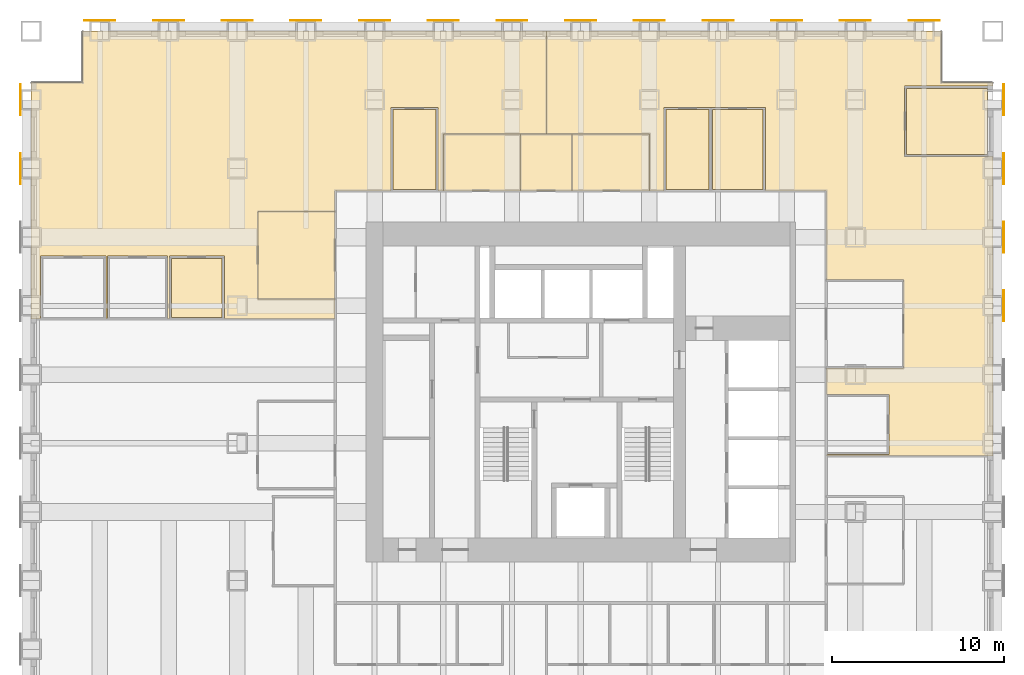
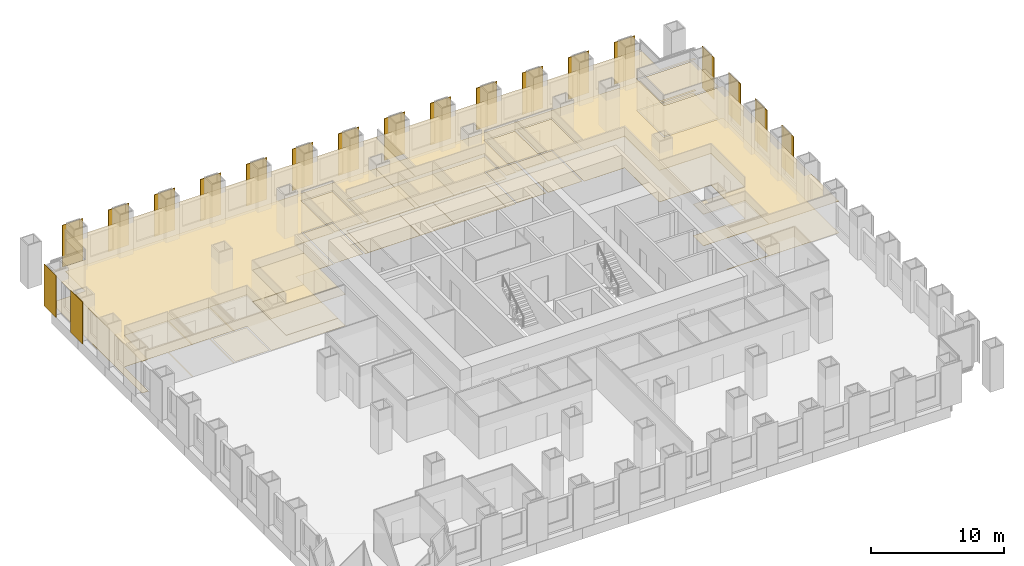
# One storey, part 14 of 14: 21 coverings, 19 shading devices.
"""IFC4 building model written with IfcOpenShell, lengths in metres."""

from ifc_helpers import new_model, si_unit, direction, frame, origin, origin_2d, place, context, subcontext, project, spatial, polyline, rectangle, outline, extrude, material, layer, layer_set, type_object, element, save


model = new_model("IFC4")

# Units and contexts
model_context = context("Model", 3, precision=1e-05, world=origin(), true_north=direction((0.0, 1.0)))
body_context = subcontext(model_context, "Body", "Model", "MODEL_VIEW")
ifc_project = project(units=[si_unit("LENGTHUNIT", "METRE"), si_unit("AREAUNIT", "SQUARE_METRE"), si_unit("VOLUMEUNIT", "CUBIC_METRE"), si_unit("PLANEANGLEUNIT", "RADIAN"), si_unit("MASSUNIT", "GRAM", prefix="KILO")], contexts=[model_context])

# Site, building, storey
site_placement = place(None, origin())
site = spatial("IfcSite", under=ifc_project, at=site_placement, CompositionType="ELEMENT")
building_placement = place(site_placement, origin())
building = spatial("IfcBuilding", under=site, at=building_placement, Name="Rimbunsela Tower", CompositionType="ELEMENT")
storey_placement = place(building_placement, frame((0.0, 0.0, 63.0)))
storey = spatial("IfcBuildingStorey", under=building, at=storey_placement, Name="L15", CompositionType="ELEMENT", Elevation=63.0)

# Coverings
ifc_material_1 = material(Name="Nylon carpet tile", Category="textile")
ifc_layer_1 = layer(ifc_material_1, 0.010009765625)
ifc_layer_set_1 = layer_set([ifc_layer_1], Name="Carpet tile 10")
covering_type_1 = type_object("IfcCoveringType", Name="Carpet tile 10", PredefinedType="FLOORING", material=ifc_layer_set_1)
covering_1_placement = place(storey_placement, origin())
element("IfcCovering", 1, at=covering_1_placement, inside=storey, type_object=covering_type_1, Name="Floor finish Open office", PredefinedType="FLOORING", context=body_context, shape_type="SweptSolid", body=[
    extrude(outline(polyline([(11.199951171875, 37.5), (11.199951171875, 32.39990234375), (15.699951171875, 32.39990234375), (15.699951171875, 31.2509765625), (9.25, 31.2509765625), (9.25, 34.89990234375), (6.050048828125, 34.89990234375), (6.050048828125, 31.2509765625), (5.949951171875, 31.2509765625), (5.949951171875, 34.89990234375), (2.449951171875, 34.89990234375), (2.449951171875, 31.2509765625), (2.35009765625, 31.2509765625), (2.35009765625, 34.89990234375), (-1.449951171875, 34.89990234375), (-1.449951171875, 31.2509765625), (-2.0, 31.2509765625), (-2.0, 45.0), (1.0, 45.0), (1.0, 48.0), (15.699951171875, 48.0), (27.9990234375, 48.0), (27.9990234375, 42.0), (22.0, 42.0), (22.0, 38.699951171875), (21.699951171875, 38.699951171875), (21.699951171875, 43.550048828125), (18.949951171875, 43.550048828125), (18.949951171875, 38.699951171875), (15.699951171875, 38.699951171875), (15.699951171875, 37.5), (11.199951171875, 37.5)])), origin(), (0.0, 0.0, 1.0), 0.010009765625),
])
covering_2_placement = place(storey_placement, origin())
element("IfcCovering", 2, at=covering_2_placement, inside=storey, type_object=covering_type_1, Name="Floor finish Open office", PredefinedType="FLOORING", context=body_context, shape_type="SweptSolid", body=[
    extrude(outline(polyline([(48.85009765625, 44.800048828125), (48.85009765625, 40.699951171875), (54.0, 40.699951171875), (54.0, 23.2509765625), (44.300048828125, 23.2509765625), (44.300048828125, 23.35009765625), (47.949951171875, 23.35009765625), (47.949951171875, 26.85009765625), (44.300048828125, 26.85009765625), (44.300048828125, 28.39990234375), (48.800048828125, 28.39990234375), (48.800048828125, 33.5), (44.300048828125, 33.5), (44.300048828125, 38.699951171875), (40.75, 38.699951171875), (40.75, 43.550048828125), (37.60009765625, 43.550048828125), (37.550048828125, 43.550048828125), (34.85009765625, 43.550048828125), (34.85009765625, 38.699951171875), (34.0, 38.699951171875), (34.0, 42.0), (28.0009765625, 42.0), (28.0009765625, 48.0), (44.300048828125, 48.0), (51.0, 48.0), (51.0, 45.0), (54.0, 45.0), (54.0, 44.800048828125), (48.85009765625, 44.800048828125)])), origin(), (0.0, 0.0, 1.0), 0.010009765625),
])
covering_3_placement = place(storey_placement, origin())
element("IfcCovering", 3, at=covering_3_placement, inside=storey, type_object=covering_type_1, Name="Floor finish Reception", PredefinedType="FLOORING", context=body_context, shape_type="SweptSolid", body=[
    extrude(outline(polyline([(15.699951171875, 32.39990234375), (15.699951171875, 37.5), (11.199951171875, 37.5), (11.199951171875, 32.39990234375), (15.699951171875, 32.39990234375)])), origin(), (0.0, 0.0, 1.0), 0.010009765625),
])
covering_4_placement = place(storey_placement, origin())
element("IfcCovering", 4, at=covering_4_placement, inside=storey, type_object=covering_type_1, Name="Floor finish Meeting room", PredefinedType="FLOORING", context=body_context, shape_type="SweptSolid", body=[
    extrude(outline(polyline([(53.699951171875, 40.824951171875), (53.699951171875, 44.675048828125), (48.97509765625, 44.675048828125), (48.97509765625, 40.824951171875), (53.699951171875, 40.824951171875)])), origin(), (0.0, 0.0, 1.0), 0.010009765625),
])
covering_5_placement = place(storey_placement, origin())
element("IfcCovering", 5, at=covering_5_placement, inside=storey, type_object=covering_type_1, Name="Floor finish Print and copy room", PredefinedType="FLOORING", context=body_context, shape_type="SweptSolid", body=[
    extrude(outline(polyline([(21.574951171875, 38.77490234375), (21.574951171875, 43.425048828125), (19.074951171875, 43.425048828125), (19.074951171875, 38.77490234375), (21.574951171875, 38.77490234375)])), origin(), (0.0, 0.0, 1.0), 0.010009765625),
])
covering_6_placement = place(storey_placement, origin())
element("IfcCovering", 6, at=covering_6_placement, inside=storey, type_object=covering_type_1, Name="Floor finish Office", PredefinedType="FLOORING", context=body_context, shape_type="SweptSolid", body=[
    extrude(outline(polyline([(9.125, 31.324951171875), (9.125, 34.77490234375), (6.175048828125, 34.77490234375), (6.175048828125, 31.324951171875), (9.125, 31.324951171875)])), origin(), (0.0, 0.0, 1.0), 0.010009765625),
])
covering_7_placement = place(storey_placement, origin())
element("IfcCovering", 7, at=covering_7_placement, inside=storey, type_object=covering_type_1, Name="Floor finish Print and copy room", PredefinedType="FLOORING", context=body_context, shape_type="SweptSolid", body=[
    extrude(outline(polyline([(37.47509765625, 38.77490234375), (37.47509765625, 43.425048828125), (34.97509765625, 43.425048828125), (34.97509765625, 38.77490234375), (37.47509765625, 38.77490234375)])), origin(), (0.0, 0.0, 1.0), 0.010009765625),
])
covering_8_placement = place(storey_placement, origin())
element("IfcCovering", 8, at=covering_8_placement, inside=storey, type_object=covering_type_1, Name="Floor finish Office", PredefinedType="FLOORING", context=body_context, shape_type="SweptSolid", body=[
    extrude(outline(polyline([(40.625, 38.77490234375), (40.625, 43.425048828125), (37.675048828125, 43.425048828125), (37.675048828125, 38.77490234375), (40.625, 38.77490234375)])), origin(), (0.0, 0.0, 1.0), 0.010009765625),
])
ifc_material_2 = material(Name="Mineral fibre ceiling tile", Category="gypsum")
ifc_layer_2 = layer(ifc_material_2, 0.02001953125)
ifc_layer_set_2 = layer_set([ifc_layer_2], Name="Ceiling 600 grid")
covering_type_2 = type_object("IfcCoveringType", Name="Ceiling 600 grid", PredefinedType="CEILING", material=ifc_layer_set_2)
covering_9_placement = place(storey_placement, frame((0.0, 0.0, 2.89990234375)))
element("IfcCovering", 9, at=covering_9_placement, inside=storey, type_object=covering_type_2, Name="Ceiling Open office", PredefinedType="CEILING", context=body_context, shape_type="SweptSolid", body=[
    extrude(outline(polyline([(11.199951171875, 37.5), (11.199951171875, 32.39990234375), (15.699951171875, 32.39990234375), (15.699951171875, 31.2509765625), (9.25, 31.2509765625), (9.25, 34.89990234375), (6.050048828125, 34.89990234375), (6.050048828125, 31.2509765625), (5.949951171875, 31.2509765625), (5.949951171875, 34.89990234375), (2.449951171875, 34.89990234375), (2.449951171875, 31.2509765625), (2.35009765625, 31.2509765625), (2.35009765625, 34.89990234375), (-1.449951171875, 34.89990234375), (-1.449951171875, 31.2509765625), (-2.0, 31.2509765625), (-2.0, 45.0), (1.0, 45.0), (1.0, 48.0), (15.699951171875, 48.0), (27.9990234375, 48.0), (27.9990234375, 42.0), (22.0, 42.0), (22.0, 38.699951171875), (21.699951171875, 38.699951171875), (21.699951171875, 43.550048828125), (18.949951171875, 43.550048828125), (18.949951171875, 38.699951171875), (15.699951171875, 38.699951171875), (15.699951171875, 37.5), (11.199951171875, 37.5)])), origin(), (0.0, 0.0, 1.0), 0.02001953125),
])
covering_10_placement = place(storey_placement, frame((0.0, 0.0, 2.89990234375)))
element("IfcCovering", 10, at=covering_10_placement, inside=storey, type_object=covering_type_2, Name="Ceiling Open office", PredefinedType="CEILING", context=body_context, shape_type="SweptSolid", body=[
    extrude(outline(polyline([(48.85009765625, 44.800048828125), (48.85009765625, 40.699951171875), (54.0, 40.699951171875), (54.0, 23.2509765625), (44.300048828125, 23.2509765625), (44.300048828125, 23.35009765625), (47.949951171875, 23.35009765625), (47.949951171875, 26.85009765625), (44.300048828125, 26.85009765625), (44.300048828125, 28.39990234375), (48.800048828125, 28.39990234375), (48.800048828125, 33.5), (44.300048828125, 33.5), (44.300048828125, 38.699951171875), (40.75, 38.699951171875), (40.75, 43.550048828125), (37.60009765625, 43.550048828125), (37.550048828125, 43.550048828125), (34.85009765625, 43.550048828125), (34.85009765625, 38.699951171875), (34.0, 38.699951171875), (34.0, 42.0), (28.0009765625, 42.0), (28.0009765625, 48.0), (44.300048828125, 48.0), (51.0, 48.0), (51.0, 45.0), (54.0, 45.0), (54.0, 44.800048828125), (48.85009765625, 44.800048828125)])), origin(), (0.0, 0.0, 1.0), 0.02001953125),
])
covering_11_placement = place(storey_placement, frame((0.0, 0.0, 2.89990234375)))
element("IfcCovering", 11, at=covering_11_placement, inside=storey, type_object=covering_type_2, Name="Ceiling Reception", PredefinedType="CEILING", context=body_context, shape_type="SweptSolid", body=[
    extrude(outline(polyline([(15.699951171875, 32.39990234375), (15.699951171875, 37.5), (11.199951171875, 37.5), (11.199951171875, 32.39990234375), (15.699951171875, 32.39990234375)])), origin(), (0.0, 0.0, 1.0), 0.02001953125),
])
covering_12_placement = place(storey_placement, frame((0.0, 0.0, 2.89990234375)))
element("IfcCovering", 12, at=covering_12_placement, inside=storey, type_object=covering_type_2, Name="Ceiling Meeting room", PredefinedType="CEILING", context=body_context, shape_type="SweptSolid", body=[
    extrude(outline(polyline([(53.699951171875, 40.824951171875), (53.699951171875, 44.675048828125), (48.97509765625, 44.675048828125), (48.97509765625, 40.824951171875), (53.699951171875, 40.824951171875)])), origin(), (0.0, 0.0, 1.0), 0.02001953125),
])
covering_13_placement = place(storey_placement, frame((0.0, 0.0, 2.89990234375)))
element("IfcCovering", 13, at=covering_13_placement, inside=storey, type_object=covering_type_2, Name="Ceiling Print and copy room", PredefinedType="CEILING", context=body_context, shape_type="SweptSolid", body=[
    extrude(outline(polyline([(21.574951171875, 38.77490234375), (21.574951171875, 43.425048828125), (19.074951171875, 43.425048828125), (19.074951171875, 38.77490234375), (21.574951171875, 38.77490234375)])), origin(), (0.0, 0.0, 1.0), 0.02001953125),
])
covering_14_placement = place(storey_placement, frame((0.0, 0.0, 2.89990234375)))
element("IfcCovering", 14, at=covering_14_placement, inside=storey, type_object=covering_type_2, Name="Ceiling Print and copy room", PredefinedType="CEILING", context=body_context, shape_type="SweptSolid", body=[
    extrude(outline(polyline([(37.47509765625, 38.77490234375), (37.47509765625, 43.425048828125), (34.97509765625, 43.425048828125), (34.97509765625, 38.77490234375), (37.47509765625, 38.77490234375)])), origin(), (0.0, 0.0, 1.0), 0.02001953125),
])
covering_15_placement = place(storey_placement, frame((0.0, 0.0, 2.89990234375)))
element("IfcCovering", 15, at=covering_15_placement, inside=storey, type_object=covering_type_2, Name="Ceiling Office", PredefinedType="CEILING", context=body_context, shape_type="SweptSolid", body=[
    extrude(outline(polyline([(40.625, 38.77490234375), (40.625, 43.425048828125), (37.675048828125, 43.425048828125), (37.675048828125, 38.77490234375), (40.625, 38.77490234375)])), origin(), (0.0, 0.0, 1.0), 0.02001953125),
])
ifc_material_3 = material(Name="Moisture-resistant plasterboard ceiling", Category="gypsum")
ifc_layer_3 = layer(ifc_material_3, 0.012451171875)
ifc_layer_set_3 = layer_set([ifc_layer_3], Name="Ceiling moisture-resistant board")
covering_type_3 = type_object("IfcCoveringType", Name="Ceiling moisture-resistant board", PredefinedType="CEILING", material=ifc_layer_set_3)
covering_16_placement = place(storey_placement, frame((0.0, 0.0, 2.60009765625)))
element("IfcCovering", 16, at=covering_16_placement, inside=storey, type_object=covering_type_3, Name="Ceiling Female WC", PredefinedType="CEILING", context=body_context, shape_type="SweptSolid", body=[
    extrude(outline(polyline([(26.5, 38.699951171875), (26.5, 42.0), (22.0, 42.0), (22.0, 38.699951171875), (26.5, 38.699951171875)])), origin(), (0.0, 0.0, 1.0), 0.02001953125),
])
covering_17_placement = place(storey_placement, frame((0.0, 0.0, 2.60009765625)))
element("IfcCovering", 17, at=covering_17_placement, inside=storey, type_object=covering_type_3, Name="Ceiling Accessible WC", PredefinedType="CEILING", context=body_context, shape_type="SweptSolid", body=[
    extrude(outline(polyline([(29.5, 38.699951171875), (29.5, 42.0), (26.5, 42.0), (26.5, 38.699951171875), (29.5, 38.699951171875)])), origin(), (0.0, 0.0, 1.0), 0.02001953125),
])
covering_18_placement = place(storey_placement, frame((0.0, 0.0, 2.60009765625)))
element("IfcCovering", 18, at=covering_18_placement, inside=storey, type_object=covering_type_3, Name="Ceiling Male WC", PredefinedType="CEILING", context=body_context, shape_type="SweptSolid", body=[
    extrude(outline(polyline([(34.0, 38.699951171875), (34.0, 42.0), (29.5, 42.0), (29.5, 38.699951171875), (34.0, 38.699951171875)])), origin(), (0.0, 0.0, 1.0), 0.02001953125),
])
ifc_material_4 = material(Name="Porcelain floor tile in adhesive bed", Category="ceramic")
ifc_layer_4 = layer(ifc_material_4, 0.02001953125)
ifc_layer_set_4 = layer_set([ifc_layer_4], Name="Porcelain tile 20")
covering_type_4 = type_object("IfcCoveringType", Name="Porcelain tile 20", PredefinedType="FLOORING", material=ifc_layer_set_4)
covering_19_placement = place(storey_placement, origin())
element("IfcCovering", 19, at=covering_19_placement, inside=storey, type_object=covering_type_4, Name="Floor finish Female WC", PredefinedType="FLOORING", context=body_context, shape_type="SweptSolid", body=[
    extrude(outline(polyline([(26.5, 38.699951171875), (26.5, 42.0), (22.0, 42.0), (22.0, 38.699951171875), (26.5, 38.699951171875)])), origin(), (0.0, 0.0, 1.0), 0.02001953125),
])
covering_20_placement = place(storey_placement, origin())
element("IfcCovering", 20, at=covering_20_placement, inside=storey, type_object=covering_type_4, Name="Floor finish Accessible WC", PredefinedType="FLOORING", context=body_context, shape_type="SweptSolid", body=[
    extrude(outline(polyline([(29.5, 38.699951171875), (29.5, 42.0), (26.5, 42.0), (26.5, 38.699951171875), (29.5, 38.699951171875)])), origin(), (0.0, 0.0, 1.0), 0.02001953125),
])
covering_21_placement = place(storey_placement, origin())
element("IfcCovering", 21, at=covering_21_placement, inside=storey, type_object=covering_type_4, Name="Floor finish Male WC", PredefinedType="FLOORING", context=body_context, shape_type="SweptSolid", body=[
    extrude(outline(polyline([(34.0, 38.699951171875), (34.0, 42.0), (29.5, 42.0), (29.5, 38.699951171875), (34.0, 38.699951171875)])), origin(), (0.0, 0.0, 1.0), 0.02001953125),
])

# Shading devices
ifc_material_5 = material(Name="Perforated aluminium, 35 % open area", Category="aluminium")
ifc_layer_5 = layer(ifc_material_5, 0.050048828125)
ifc_layer_set_5 = layer_set([ifc_layer_5], Name="Solar screen panel 1800")
shading_device_type = type_object("IfcShadingDeviceType", Name="Solar screen panel 1800", PredefinedType="USERDEFINED", material=ifc_layer_set_5)
for number, where, z_axis, x_axis, name in (
    (22, (54.625, 32.0, 0.0), (0.0, 0.0, 1.0), (0.0, 1.0, 0.0), "Solar screen E L15"),
    (23, (54.625, 36.0, 0.0), (0.0, 0.0, 1.0), (0.0, 1.0, 0.0), "Solar screen E L15"),
    (24, (54.625, 40.0, 0.0), (0.0, 0.0, 1.0), (0.0, 1.0, 0.0), "Solar screen E L15"),
    (25, (54.625, 44.0, 0.0), (0.0, 0.0, 1.0), (0.0, 1.0, 0.0), "Solar screen E L15"),
    (26, (2.0, 48.625, 0.0), (0.0, 0.0, 1.0), (1.0, 0.0, 0.0), "Solar screen N L15"),
    (27, (6.0, 48.625, 0.0), (0.0, 0.0, 1.0), (1.0, 0.0, 0.0), "Solar screen N L15"),
    (28, (10.0, 48.625, 0.0), (0.0, 0.0, 1.0), (1.0, 0.0, 0.0), "Solar screen N L15"),
    (29, (14.0, 48.625, 0.0), (0.0, 0.0, 1.0), (1.0, 0.0, 0.0), "Solar screen N L15"),
    (30, (18.0, 48.625, 0.0), (0.0, 0.0, 1.0), (1.0, 0.0, 0.0), "Solar screen N L15"),
    (31, (22.0, 48.625, 0.0), (0.0, 0.0, 1.0), (1.0, 0.0, 0.0), "Solar screen N L15"),
    (32, (26.0, 48.625, 0.0), (0.0, 0.0, 1.0), (1.0, 0.0, 0.0), "Solar screen N L15"),
    (33, (30.0, 48.625, 0.0), (0.0, 0.0, 1.0), (1.0, 0.0, 0.0), "Solar screen N L15"),
    (34, (34.0, 48.625, 0.0), (0.0, 0.0, 1.0), (1.0, 0.0, 0.0), "Solar screen N L15"),
    (35, (38.0, 48.625, 0.0), (0.0, 0.0, 1.0), (1.0, 0.0, 0.0), "Solar screen N L15"),
    (36, (42.0, 48.625, 0.0), (0.0, 0.0, 1.0), (1.0, 0.0, 0.0), "Solar screen N L15"),
    (37, (46.0, 48.625, 0.0), (0.0, 0.0, 1.0), (1.0, 0.0, 0.0), "Solar screen N L15"),
    (38, (50.0, 48.625, 0.0), (0.0, 0.0, 1.0), (1.0, 0.0, 0.0), "Solar screen N L15"),
    (39, (-2.625, 40.0, 0.0), (0.0, 0.0, 1.0), (0.0, 1.0, 0.0), "Solar screen W L15"),
    (40, (-2.625, 44.0, 0.0), (0.0, 0.0, 1.0), (0.0, 1.0, 0.0), "Solar screen W L15"),
):
    element("IfcShadingDevice", number, at=place(storey_placement, frame(where, z_axis=z_axis, x_axis=x_axis)), inside=storey, type_object=shading_device_type, Name=name, ObjectType="SCREEN", PredefinedType="USERDEFINED", context=body_context, shape_type="SweptSolid", body=[
        extrude(rectangle(XDim=1.800048828125, YDim=0.050048828125, at=origin_2d()), origin(), (0.0, 0.0, 1.0), 3.85009765625),
    ])

save(model, "model.ifc")
